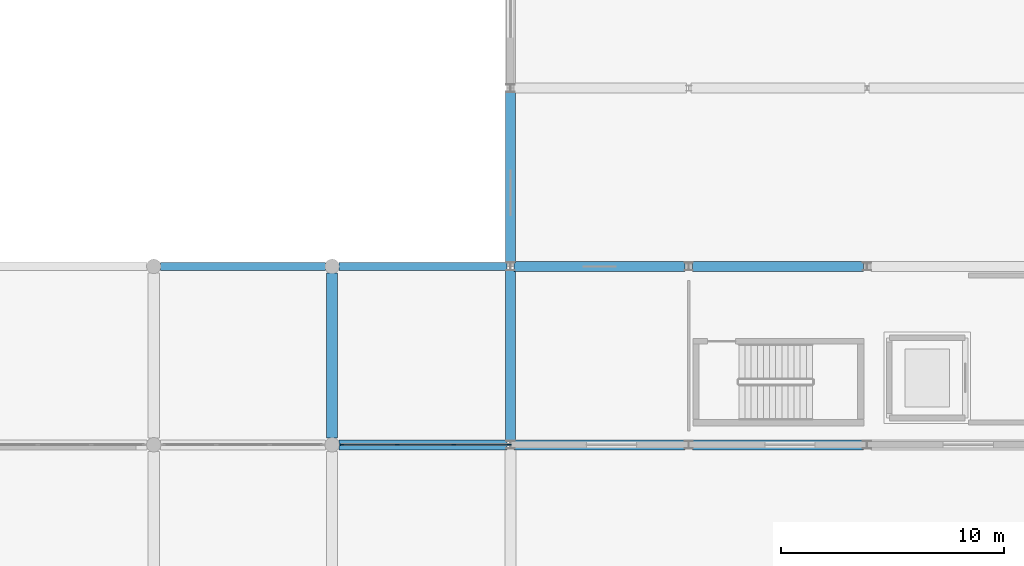
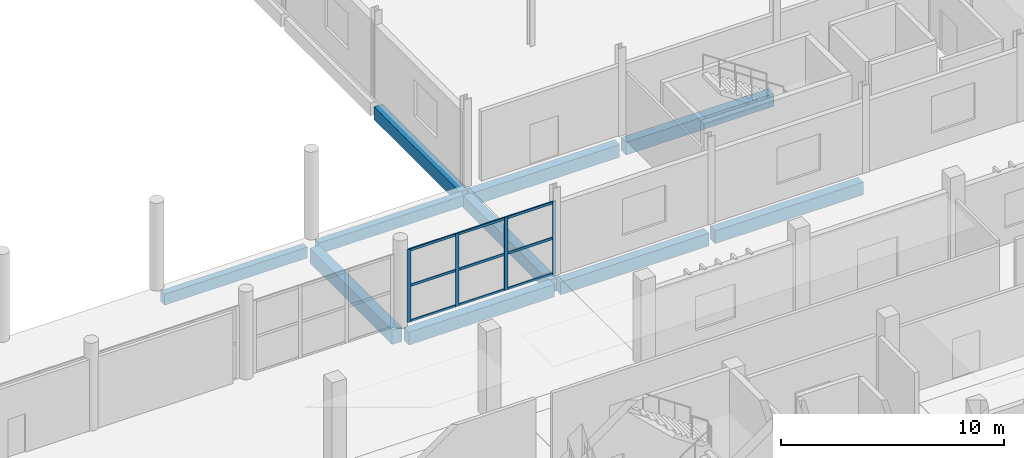
# One storey, part 55 of 117: 13 members, 10 beams, 1 element without a shape of its own.
"""IFC4 building model written with IfcOpenShell, lengths in metres."""

from ifc_helpers import new_model, si_unit, direction, frame, origin, origin_2d, place, context, subcontext, project, spatial, rectangle, extrude, material, layer, layer_set, material_profile, profile_set, type_object, element, aggregate, save


model = new_model("IFC4")

# Units and contexts
model_context = context("Model", 3, precision=1e-05, world=origin(), true_north=direction((0.0, 1.0)))
body_context = subcontext(model_context, "Body", "Model", "MODEL_VIEW")
ifc_project = project(units=[si_unit("LENGTHUNIT", "METRE"), si_unit("AREAUNIT", "SQUARE_METRE"), si_unit("VOLUMEUNIT", "CUBIC_METRE"), si_unit("PLANEANGLEUNIT", "RADIAN"), si_unit("MASSUNIT", "GRAM", prefix="KILO")], contexts=[model_context])

# Site, building, storey
site_placement = place(None, origin())
site = spatial("IfcSite", under=ifc_project, at=site_placement, CompositionType="ELEMENT")
building_placement = place(site_placement, origin())
building = spatial("IfcBuilding", under=site, at=building_placement, Name="Jelvoka-Kovrelna Polytechnic", CompositionType="ELEMENT")
storey_placement = place(building_placement, origin())
storey = spatial("IfcBuildingStorey", under=building, at=storey_placement, Name="L01", CompositionType="ELEMENT", Elevation=0.0)

# Beams
ifc_material_1 = material(Name="Concrete C40/50", Category="concrete")
ifc_material_profile_1 = material_profile(ifc_material_1, rectangle(XDim=0.449951171875, YDim=0.699951171875, at=origin_2d()), Name="RC 450x700")
ifc_profile_set_1 = profile_set([ifc_material_profile_1], Name="Concrete C40/50")
beam_type_1 = type_object("IfcBeamType", Name="Beam_RC_450x700", PredefinedType="BEAM", material=ifc_profile_set_1)
for number, where, z_axis, x_axis, name in (
    (1, (88.164306640625, 80.0, -0.760009765625), (1.0, 0.0, 0.0), (0.0, 1.0, 0.0), "L01 beam 0001"),
    (2, (88.164306640625, 88.0, -0.760009765625), (1.0, 0.0, 0.0), (0.0, 1.0, 0.0), "L01 beam 0002"),
    (3, (96.164306640625, 80.0, -0.760009765625), (1.0, 0.0, 0.0), (0.0, 1.0, 0.0), "L01 beam 0006"),
    (4, (96.164306640625, 88.0, -0.760009765625), (1.0, 0.0, 0.0), (0.0, 1.0, 0.0), "L01 beam 0007"),
):
    element("IfcBeam", number, at=place(storey_placement, frame(where, z_axis=z_axis, x_axis=x_axis)), inside=storey, type_object=beam_type_1, Name=name, PredefinedType="BEAM", context=body_context, shape_type="SweptSolid", body=[
        extrude(rectangle(XDim=0.449951171875, YDim=0.699951171875, at=origin_2d()), origin(), (0.0, 0.0, 1.0), 7.67138671875),
    ])
for number, where, z_axis, x_axis, name in (
    (5, (88.0, 80.15771484375, -0.760009765625), (0.0, 1.0, 0.0), (-1.0, 0.0, 0.0), "L01 beam 0071"),
    (6, (88.0, 88.15771484375, -0.760009765625), (0.0, 1.0, 0.0), (-1.0, 0.0, 0.0), "L01 beam 0073"),
):
    element("IfcBeam", number, at=place(storey_placement, frame(where, z_axis=z_axis, x_axis=x_axis)), inside=storey, type_object=beam_type_1, Name=name, PredefinedType="BEAM", context=body_context, shape_type="SweptSolid", body=[
        extrude(rectangle(XDim=0.449951171875, YDim=0.699951171875, at=origin_2d()), origin(), (0.0, 0.0, 1.0), 7.6845703125),
    ])
beam_1_placement = place(storey_placement, frame((80.304931640625, 80.0, -0.7548828125), z_axis=(1.0, 0.0, 0.0), x_axis=(0.0, 1.0, 0.0)))
element("IfcBeam", 7, at=beam_1_placement, inside=storey, type_object=beam_type_1, Name="L01 beam 0285", PredefinedType="BEAM", context=body_context, shape_type="SweptSolid", body=[
    extrude(rectangle(XDim=0.449951171875, YDim=0.699951171875, at=origin_2d()), origin(), (0.0, 0.0, 1.0), 7.53076171875),
])
ifc_material_2 = material(Name="Concrete C40/50", Category="concrete")
ifc_material_profile_2 = material_profile(ifc_material_2, rectangle(XDim=0.5, YDim=0.800048828125, at=origin_2d()), Name="RC 500x800")
ifc_profile_set_2 = profile_set([ifc_material_profile_2], Name="Concrete C40/50")
beam_type_2 = type_object("IfcBeamType", Name="Beam_RC_500x800", PredefinedType="BEAM", material=ifc_profile_set_2)
beam_2_placement = place(storey_placement, frame((80.0, 80.304931640625, -0.804931640625), z_axis=(0.0, 1.0, 0.0), x_axis=(-1.0, 0.0, 0.0)))
element("IfcBeam", 8, at=beam_2_placement, inside=storey, type_object=beam_type_2, Name="L01 beam 0300", PredefinedType="BEAM", context=body_context, shape_type="SweptSolid", body=[
    extrude(rectangle(XDim=0.5, YDim=0.800048828125, at=origin_2d()), origin(), (0.0, 0.0, 1.0), 7.39013671875),
])

# Curtain wall, members
ifc_material_3 = material(Name="Anodised aluminium 6063-T6", Category="aluminium")
ifc_layer = layer(ifc_material_3, 0.179931640625)
ifc_layer_set = layer_set([ifc_layer], Name="Anodised aluminium 6063-T6")
curtain_wall_type = type_object("IfcCurtainWallType", Name="CW_Pavilion", PredefinedType="NOTDEFINED", material=ifc_layer_set)
curtain_wall_placement = place(storey_placement, origin())
curtain_wall = element("IfcCurtainWall", 9, at=curtain_wall_placement, inside=storey, type_object=curtain_wall_type, Name="L01 glazed curtain wall 168", PredefinedType="NOTDEFINED")
ifc_material_4 = material(Name="Anodised aluminium 6063-T6", Category="aluminium")
ifc_material_profile_3 = material_profile(ifc_material_4, rectangle(XDim=0.06494140625, YDim=0.179931640625, at=origin_2d()), Name="ALU 65x180")
ifc_profile_set_3 = profile_set([ifc_material_profile_3], Name="Anodised aluminium 6063-T6")
member_type_1 = type_object("IfcMemberType", Name="Mullion_M-05", PredefinedType="MULLION", material=ifc_profile_set_3)
member_1_placement = place(storey_placement, frame((80.4326171875, 80.0, -0.02490234375), z_axis=(0.0, 0.0, 1.0), x_axis=(0.0, 1.0, 0.0)))
member_1 = element("IfcMember", 10, at=member_1_placement, type_object=member_type_1, Name="CW-05 mullion 1", PredefinedType="MULLION", context=body_context, shape_type="SweptSolid", body=[
    extrude(rectangle(XDim=0.06494140625, YDim=0.179931640625, at=origin_2d()), origin(), (0.0, 0.0, 1.0), 4.005126953125),
])
member_2_placement = place(storey_placement, frame((82.9267578125, 80.0, -0.02490234375), z_axis=(0.0, 0.0, 1.0), x_axis=(0.0, 1.0, 0.0)))
member_2 = element("IfcMember", 11, at=member_2_placement, type_object=member_type_1, Name="CW-05 mullion 2", PredefinedType="MULLION", context=body_context, shape_type="SweptSolid", body=[
    extrude(rectangle(XDim=0.06494140625, YDim=0.179931640625, at=origin_2d()), origin(), (0.0, 0.0, 1.0), 4.005126953125),
])
member_3_placement = place(storey_placement, frame((85.453369140625, 80.0, -0.02490234375), z_axis=(0.0, 0.0, 1.0), x_axis=(0.0, 1.0, 0.0)))
member_3 = element("IfcMember", 12, at=member_3_placement, type_object=member_type_1, Name="CW-05 mullion 3", PredefinedType="MULLION", context=body_context, shape_type="SweptSolid", body=[
    extrude(rectangle(XDim=0.06494140625, YDim=0.179931640625, at=origin_2d()), origin(), (0.0, 0.0, 1.0), 4.005126953125),
])
member_4_placement = place(storey_placement, frame((87.947509765625, 80.0, -0.02490234375), z_axis=(0.0, 0.0, 1.0), x_axis=(0.0, 1.0, 0.0)))
member_4 = element("IfcMember", 13, at=member_4_placement, type_object=member_type_1, Name="CW-05 mullion 4", PredefinedType="MULLION", context=body_context, shape_type="SweptSolid", body=[
    extrude(rectangle(XDim=0.06494140625, YDim=0.179931640625, at=origin_2d()), origin(), (0.0, 0.0, 1.0), 4.005126953125),
])

# Beams
ifc_material_5 = material(Name="Concrete C40/50", Category="concrete")
ifc_material_profile_4 = material_profile(ifc_material_5, rectangle(XDim=0.35009765625, YDim=0.60009765625, at=origin_2d()), Name="RC 350x600")
ifc_profile_set_4 = profile_set([ifc_material_profile_4], Name="Concrete C40/50")
beam_type_3 = type_object("IfcBeamType", Name="Spandrel_RC_350x600", PredefinedType="SPANDREL", material=ifc_profile_set_4)
beam_3_placement = place(storey_placement, frame((72.304931640625, 88.0, -0.705078125), z_axis=(1.0, 0.0, 0.0), x_axis=(0.0, 1.0, 0.0)))
element("IfcBeam", 14, at=beam_3_placement, inside=storey, type_object=beam_type_3, Name="L01 beam 0289", PredefinedType="SPANDREL", context=body_context, shape_type="SweptSolid", body=[
    extrude(rectangle(XDim=0.35009765625, YDim=0.60009765625, at=origin_2d()), origin(), (0.0, 0.0, 1.0), 7.39013671875),
])
beam_4_placement = place(storey_placement, frame((80.304931640625, 88.0, -0.705078125), z_axis=(1.0, 0.0, 0.0), x_axis=(0.0, 1.0, 0.0)))
element("IfcBeam", 15, at=beam_4_placement, inside=storey, type_object=beam_type_3, Name="L01 beam 0290", PredefinedType="SPANDREL", context=body_context, shape_type="SweptSolid", body=[
    extrude(rectangle(XDim=0.35009765625, YDim=0.60009765625, at=origin_2d()), origin(), (0.0, 0.0, 1.0), 7.53076171875),
])

# Member
ifc_material_6 = material(Name="Anodised aluminium 6063-T6", Category="aluminium")
ifc_material_profile_5 = material_profile(ifc_material_6, rectangle(XDim=0.06494140625, YDim=0.135009765625, at=origin_2d()), Name="ALU 65x135")
ifc_profile_set_5 = profile_set([ifc_material_profile_5], Name="Anodised aluminium 6063-T6")
member_type_2 = type_object("IfcMemberType", Name="Transom_T-05", PredefinedType="USERDEFINED", material=ifc_profile_set_5)
member_5_placement = place(storey_placement, frame((80.465087890625, 80.0, 0.032470703125), z_axis=(1.0, 0.0, 0.0), x_axis=(0.0, 1.0, 0.0)))
member_5 = element("IfcMember", 16, at=member_5_placement, type_object=member_type_2, Name="CW-05 transom 1.1", ObjectType="TRANSOM", PredefinedType="USERDEFINED", context=body_context, shape_type="SweptSolid", body=[
    extrude(rectangle(XDim=0.06494140625, YDim=0.135009765625, at=origin_2d()), origin(), (0.0, 0.0, 1.0), 2.42919921875),
])

member_6_placement = place(storey_placement, frame((80.465087890625, 80.0, 1.9775390625), z_axis=(1.0, 0.0, 0.0), x_axis=(0.0, 1.0, 0.0)))
member_6 = element("IfcMember", 17, at=member_6_placement, type_object=member_type_2, Name="CW-05 transom 1.2", ObjectType="TRANSOM", PredefinedType="USERDEFINED", context=body_context, shape_type="SweptSolid", body=[
    extrude(rectangle(XDim=0.06494140625, YDim=0.135009765625, at=origin_2d()), origin(), (0.0, 0.0, 1.0), 2.42919921875),
])

member_7_placement = place(storey_placement, frame((80.465087890625, 80.0, 3.922607421875), z_axis=(1.0, 0.0, 0.0), x_axis=(0.0, 1.0, 0.0)))
member_7 = element("IfcMember", 18, at=member_7_placement, type_object=member_type_2, Name="CW-05 transom 1.3", ObjectType="TRANSOM", PredefinedType="USERDEFINED", context=body_context, shape_type="SweptSolid", body=[
    extrude(rectangle(XDim=0.06494140625, YDim=0.135009765625, at=origin_2d()), origin(), (0.0, 0.0, 1.0), 2.42919921875),
])

member_8_placement = place(storey_placement, frame((82.959228515625, 80.0, 0.032470703125), z_axis=(1.0, 0.0, 0.0), x_axis=(0.0, 1.0, 0.0)))
member_8 = element("IfcMember", 19, at=member_8_placement, type_object=member_type_2, Name="CW-05 transom 2.1", ObjectType="TRANSOM", PredefinedType="USERDEFINED", context=body_context, shape_type="SweptSolid", body=[
    extrude(rectangle(XDim=0.06494140625, YDim=0.135009765625, at=origin_2d()), origin(), (0.0, 0.0, 1.0), 2.461669921875),
])

member_9_placement = place(storey_placement, frame((82.959228515625, 80.0, 1.9775390625), z_axis=(1.0, 0.0, 0.0), x_axis=(0.0, 1.0, 0.0)))
member_9 = element("IfcMember", 20, at=member_9_placement, type_object=member_type_2, Name="CW-05 transom 2.2", ObjectType="TRANSOM", PredefinedType="USERDEFINED", context=body_context, shape_type="SweptSolid", body=[
    extrude(rectangle(XDim=0.06494140625, YDim=0.135009765625, at=origin_2d()), origin(), (0.0, 0.0, 1.0), 2.461669921875),
])

member_10_placement = place(storey_placement, frame((82.959228515625, 80.0, 3.922607421875), z_axis=(1.0, 0.0, 0.0), x_axis=(0.0, 1.0, 0.0)))
member_10 = element("IfcMember", 21, at=member_10_placement, type_object=member_type_2, Name="CW-05 transom 2.3", ObjectType="TRANSOM", PredefinedType="USERDEFINED", context=body_context, shape_type="SweptSolid", body=[
    extrude(rectangle(XDim=0.06494140625, YDim=0.135009765625, at=origin_2d()), origin(), (0.0, 0.0, 1.0), 2.461669921875),
])

member_11_placement = place(storey_placement, frame((85.48583984375, 80.0, 0.032470703125), z_axis=(1.0, 0.0, 0.0), x_axis=(0.0, 1.0, 0.0)))
member_11 = element("IfcMember", 22, at=member_11_placement, type_object=member_type_2, Name="CW-05 transom 3.1", ObjectType="TRANSOM", PredefinedType="USERDEFINED", context=body_context, shape_type="SweptSolid", body=[
    extrude(rectangle(XDim=0.06494140625, YDim=0.135009765625, at=origin_2d()), origin(), (0.0, 0.0, 1.0), 2.42919921875),
])

member_12_placement = place(storey_placement, frame((85.48583984375, 80.0, 1.9775390625), z_axis=(1.0, 0.0, 0.0), x_axis=(0.0, 1.0, 0.0)))
member_12 = element("IfcMember", 23, at=member_12_placement, type_object=member_type_2, Name="CW-05 transom 3.2", ObjectType="TRANSOM", PredefinedType="USERDEFINED", context=body_context, shape_type="SweptSolid", body=[
    extrude(rectangle(XDim=0.06494140625, YDim=0.135009765625, at=origin_2d()), origin(), (0.0, 0.0, 1.0), 2.42919921875),
])

member_13_placement = place(storey_placement, frame((85.48583984375, 80.0, 3.922607421875), z_axis=(1.0, 0.0, 0.0), x_axis=(0.0, 1.0, 0.0)))
member_13 = element("IfcMember", 24, at=member_13_placement, type_object=member_type_2, Name="CW-05 transom 3.3", ObjectType="TRANSOM", PredefinedType="USERDEFINED", context=body_context, shape_type="SweptSolid", body=[
    extrude(rectangle(XDim=0.06494140625, YDim=0.135009765625, at=origin_2d()), origin(), (0.0, 0.0, 1.0), 2.42919921875),
])

aggregate(curtain_wall, [member_1, member_2, member_3, member_4, member_5, member_6, member_7, member_8, member_9, member_10, member_11, member_12, member_13])

save(model, "model.ifc")
